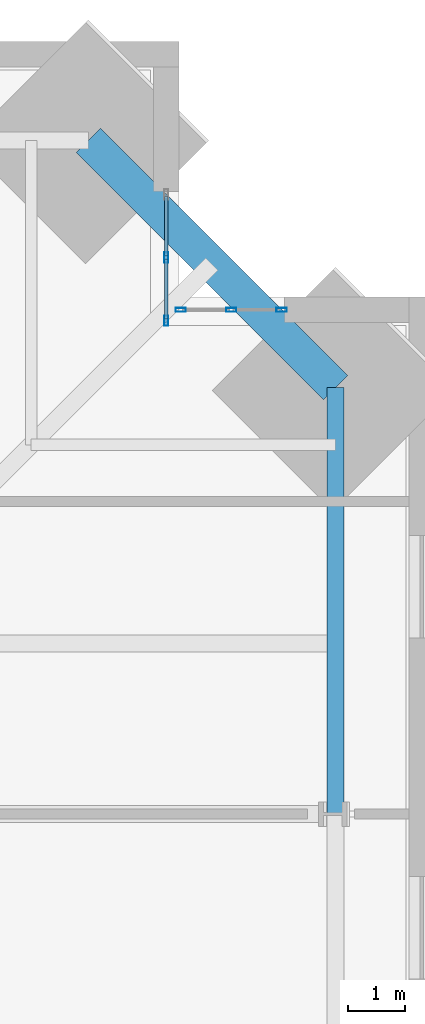
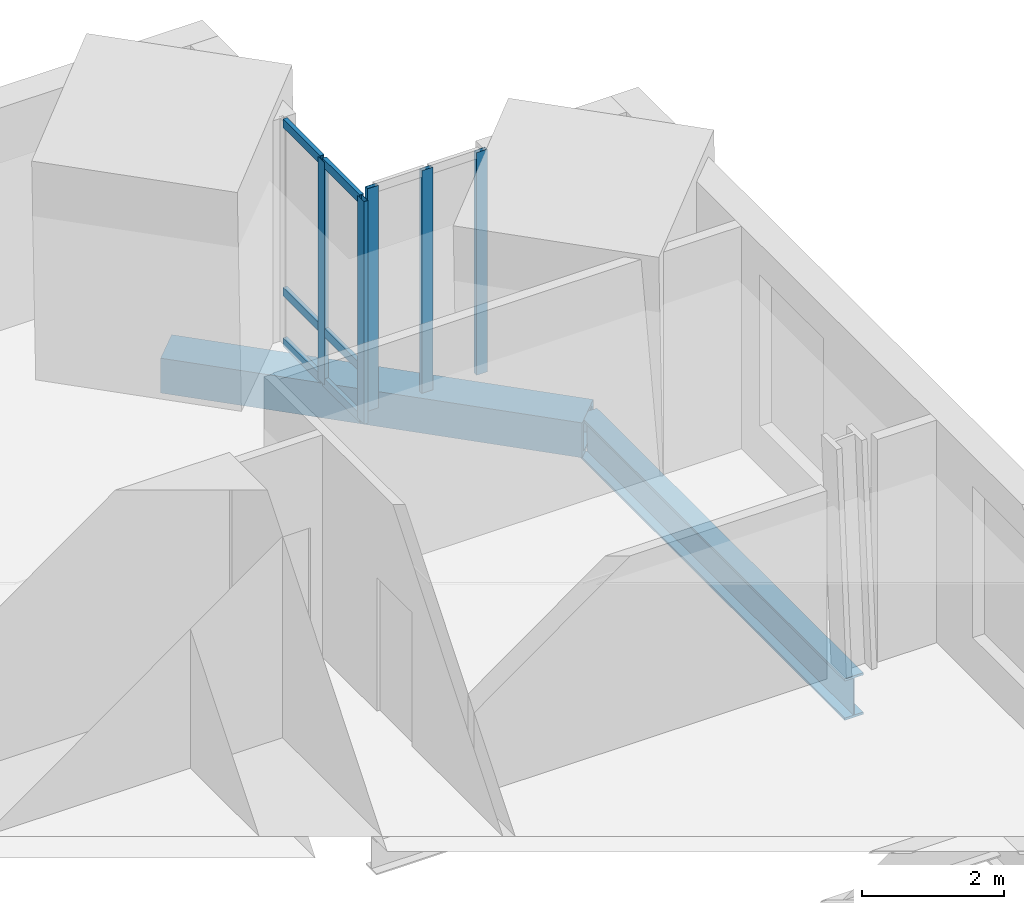
# One storey, part 8 of 16: 11 members, 2 beams, 2 elements without a shape of their own.
"""IFC4 building model written with IfcOpenShell, lengths in metres."""

import ifcopenshell
import ifcopenshell.guid

model = None  # the IFC model being written
_history = None  # IfcOwnerHistory: only IFC2X3 demands one
_inside = {}  # id of a spatial element -> (the spatial element, [elements in it])
_under = {}  # id of a project, library or spatial element -> (it, [spatial elements below it])
_declared = {}  # id of a project -> (the project, [libraries it declares])
_typed = {}  # id of a type object -> (the type object, [elements of that type])
_made_of = {}  # id of a material, layer set ... -> (it, [elements and type objects made of it])


def new_model(schema):
    """Start an empty IFC model of exactly this schema.

    Asked for "IFC4X3", IfcOpenShell would pick the latest addendum, in which some entities
    have other attributes; the version numbers below select the first issue.
    IFC2X3 requires an IfcOwnerHistory on every rooted entity: one is made here for all.
    """
    global model, _history
    if schema == "IFC4X3":
        model = ifcopenshell.file(schema_version=(4, 3, 0, 0))
    else:
        model = ifcopenshell.file(schema=schema)
    _inside.clear()
    _under.clear()
    _declared.clear()
    _typed.clear()
    _made_of.clear()
    _history = None
    if model.schema == "IFC2X3":
        org = make("IfcOrganization", Name="unknown")
        user = make(
            "IfcPersonAndOrganization",
            ThePerson=make("IfcPerson", FamilyName="unknown"),
            TheOrganization=org,
        )
        app = make(
            "IfcApplication",
            ApplicationDeveloper=org,
            Version="unknown",
            ApplicationFullName="unknown",
            ApplicationIdentifier="unknown",
        )
        _history = make(
            "IfcOwnerHistory",
            OwningUser=user,
            OwningApplication=app,
            ChangeAction="ADDED",
            CreationDate=0,
        )
    return model


def make(cls, **values):
    """One entity of the class cls with the attributes given. An attribute that is None is left unset."""
    return model.create_entity(
        cls, **{name: value for name, value in values.items() if value is not None}
    )


def rooted(cls, **values):
    """An entity with a GlobalId (a new one), such as an element, a storey or a relation."""
    return make(cls, GlobalId=ifcopenshell.guid.new(), OwnerHistory=_history, **values)


def si_unit(unit_type, name, prefix=None):
    """IfcSIUnit, for example si_unit("LENGTHUNIT", "METRE", prefix="MILLI")."""
    return make("IfcSIUnit", UnitType=unit_type, Prefix=prefix, Name=name)


def assignment(units):
    """IfcUnitAssignment: the units of a project."""
    return None if units is None else make("IfcUnitAssignment", Units=units)


def point(xyz):
    """IfcCartesianPoint."""
    return None if xyz is None else make("IfcCartesianPoint", Coordinates=xyz)


def direction(xyz):
    """IfcDirection."""
    return None if xyz is None else make("IfcDirection", DirectionRatios=xyz)


def frame(location, z_axis=None, x_axis=None):
    """IfcAxis2Placement3D, a coordinate frame: its origin and axes. An axis left out is left unset."""
    return make(
        "IfcAxis2Placement3D",
        Location=point(location),
        Axis=direction(z_axis),
        RefDirection=direction(x_axis),
    )


def frame_2d(location, x_axis=None):
    """IfcAxis2Placement2D, a coordinate frame in the plane: its origin and x axis."""
    return make(
        "IfcAxis2Placement2D", Location=point(location), RefDirection=direction(x_axis)
    )


def origin():
    """The frame at (0, 0, 0) with its axes left unset."""
    return frame((0.0, 0.0, 0.0))


def origin_2d():
    """The frame at (0, 0) in the plane with its x axis left unset."""
    return frame_2d((0.0, 0.0))


def place(relative_to, where):
    """IfcLocalPlacement: puts the frame where relative to a parent placement (None: the world)."""
    return make(
        "IfcLocalPlacement", PlacementRelTo=relative_to, RelativePlacement=where
    )


def context(
    kind, dimensions, precision=None, world=None, true_north=None, identifier=None
):
    """IfcGeometricRepresentationContext, for example the 3D "Model" context."""
    return make(
        "IfcGeometricRepresentationContext",
        ContextIdentifier=identifier,
        ContextType=kind,
        CoordinateSpaceDimension=dimensions,
        Precision=precision,
        WorldCoordinateSystem=world,
        TrueNorth=true_north,
    )


def subcontext(parent, identifier, kind, view, scale=None):
    """IfcGeometricRepresentationSubContext, for example "Body" below "Model"."""
    return make(
        "IfcGeometricRepresentationSubContext",
        ContextIdentifier=identifier,
        ContextType=kind,
        ParentContext=parent,
        TargetScale=scale,
        TargetView=view,
    )


def project(units=None, contexts=None):
    """IfcProject with its units and contexts."""
    return rooted(
        "IfcProject",
        Name="project",
        RepresentationContexts=contexts,
        UnitsInContext=assignment(units),
    )


def spatial(cls, under=None, at=None, **own):
    """A site, building, storey or space (cls), placed at a placement, below another one or the project."""
    s = rooted(cls, ObjectPlacement=at, **own)
    if under is not None:
        _under.setdefault(under.id(), (under, []))[1].append(s)
    return s


def profile(cls, at=None, kind="AREA", **sizes):
    """A parametric profile (cls). Its sizes go by their IFC names, for example OverallWidth=200.0."""
    return make(cls, ProfileType=kind, Position=at, **sizes)


def hollow_rectangle(**sizes):
    """IfcRectangleHollowProfileDef."""
    return profile("IfcRectangleHollowProfileDef", **sizes)


def i_section(**sizes):
    """IfcIShapeProfileDef."""
    return profile("IfcIShapeProfileDef", **sizes)


def extrude(swept, where, along, depth):
    """IfcExtrudedAreaSolid: the profile swept, set in the frame where, extruded along a direction by depth."""
    return make(
        "IfcExtrudedAreaSolid",
        SweptArea=swept,
        Position=where,
        ExtrudedDirection=direction(along),
        Depth=depth,
    )


def shape(context_of_items, identifier, shape_type, items):
    """IfcShapeRepresentation: the items that make up one representation, for example the "Body"."""
    return make(
        "IfcShapeRepresentation",
        ContextOfItems=context_of_items,
        RepresentationIdentifier=identifier,
        RepresentationType=shape_type,
        Items=items,
    )


def material(Name=None, Category=None):
    """IfcMaterial."""
    return make("IfcMaterial", Name=Name, Category=Category)


def material_profile(
    of_material, cross_section, Name=None, Category=None, Priority=None
):
    """IfcMaterialProfile: a cross section and its material."""
    return make(
        "IfcMaterialProfile",
        Name=Name,
        Material=of_material,
        Profile=cross_section,
        Priority=Priority,
        Category=Category,
    )


def profile_set(profiles, Name=None, composite=None):
    """IfcMaterialProfileSet."""
    return make(
        "IfcMaterialProfileSet",
        Name=Name,
        MaterialProfiles=profiles,
        CompositeProfile=composite,
    )


def made_of(thing, what):
    """Note that an element or type object is made of a material, layer set ...; save() writes the relation."""
    if what is not None:
        _made_of.setdefault(what.id(), (what, []))[1].append(thing)
    return thing


def type_object(cls, material=None, **own):
    """A type object (cls), such as IfcWallType, which elements share."""
    return made_of(rooted(cls, **own), material)


def element(
    cls,
    number,
    at=None,
    inside=None,
    cuts=None,
    type_object=None,
    material=None,
    context=None,
    identifier="Body",
    shape_type=None,
    held_by="IfcProductDefinitionShape",
    body=None,
    shapes=None,
    **own,
):
    """One element of the class cls, such as IfcWall. Its Tag is "e" and its number.

    at: its placement. inside: the storey or other place that contains it. cuts: it is an
    opening in that element (IfcRelVoidsElement). A single representation is given by context,
    identifier, shape_type and body (its items); several are given by shapes. held_by: the class
    of the entity that holds the representations. save() writes the other relations.
    """
    e = rooted(cls, Tag="e%d" % number, ObjectPlacement=at, **own)
    if body is not None:
        shapes = [shape(context, identifier, shape_type, body)]
    if shapes is not None:
        e.Representation = make(held_by, Representations=shapes)
    if inside is not None:
        _inside.setdefault(inside.id(), (inside, []))[1].append(e)
    if cuts is not None:
        rooted(
            "IfcRelVoidsElement", RelatingBuildingElement=cuts, RelatedOpeningElement=e
        )
    if type_object is not None:
        _typed.setdefault(type_object.id(), (type_object, []))[1].append(e)
    return made_of(e, material)


def aggregate(whole, parts):
    """IfcRelAggregates: a whole, such as a stair, and the parts it consists of."""
    return rooted("IfcRelAggregates", RelatingObject=whole, RelatedObjects=parts)


def save(model, path):
    """Write the relations noted so far, then the file.

    IfcRelAggregates (storeys below a building ...), IfcRelContainedInSpatialStructure (elements
    in a storey), IfcRelDefinesByType, IfcRelAssociatesMaterial and IfcRelDeclares: one each for
    every whole, place, type object, material and project.
    """
    for whole, parts in _under.values():
        aggregate(whole, parts)
    for where, things in _inside.values():
        rooted(
            "IfcRelContainedInSpatialStructure",
            RelatedElements=things,
            RelatingStructure=where,
        )
    for kind, things in _typed.values():
        rooted("IfcRelDefinesByType", RelatedObjects=things, RelatingType=kind)
    for what, things in _made_of.values():
        rooted("IfcRelAssociatesMaterial", RelatedObjects=things, RelatingMaterial=what)
    for by, libraries in _declared.values():
        rooted("IfcRelDeclares", RelatingContext=by, RelatedDefinitions=libraries)
    model.write(path)


model = new_model("IFC4")

# Units and contexts
model_context = context("Model", 3, precision=1e-05, world=origin(), true_north=direction((0.0, 1.0)))
body_context = subcontext(model_context, "Body", "Model", "MODEL_VIEW")
ifc_project = project(units=[si_unit("LENGTHUNIT", "METRE"), si_unit("AREAUNIT", "SQUARE_METRE"), si_unit("VOLUMEUNIT", "CUBIC_METRE"), si_unit("PLANEANGLEUNIT", "RADIAN"), si_unit("MASSUNIT", "GRAM", prefix="KILO")], contexts=[model_context])

# Site, building, storey
site_placement = place(None, origin())
site = spatial("IfcSite", under=ifc_project, at=site_placement, CompositionType="ELEMENT")
building_placement = place(site_placement, origin())
building = spatial("IfcBuilding", under=site, at=building_placement, Name="Peilmerk Tower", CompositionType="ELEMENT")
storey_placement = place(building_placement, frame((0.0, 0.0, 273.800048828125)))
storey = spatial("IfcBuildingStorey", under=building, at=storey_placement, Name="L61", CompositionType="ELEMENT", Elevation=273.800048828125)

# Beams
ifc_material_1 = material(Name="Steel S460", Category="steel")
ifc_material_profile_1 = material_profile(ifc_material_1, hollow_rectangle(XDim=0.60009765625, YDim=0.60009765625, WallThickness=0.06005859375, at=origin_2d()), Name="BOX 600x600x60")
ifc_profile_set_1 = profile_set([ifc_material_profile_1], Name="Steel S460")
beam_type_1 = type_object("IfcBeamType", Name="B20 BOX 600x600x60 notch beam", PredefinedType="SPANDREL", material=ifc_profile_set_1)
beam_1_placement = place(storey_placement, frame((15.50634765625, 19.8564453125, -0.469970703125), z_axis=(0.707106781187, -0.707106781187, 0.0), x_axis=(0.707106781187, 0.707106781187, 0.0)))
element("IfcBeam", 1, at=beam_1_placement, inside=storey, type_object=beam_type_1, Name="Notch beam L61", PredefinedType="SPANDREL", context=body_context, shape_type="SweptSolid", body=[
    extrude(hollow_rectangle(XDim=0.60009765625, YDim=0.60009765625, WallThickness=0.06005859375, at=origin_2d()), origin(), (0.0, 0.0, 1.0), 6.15185546875),
])
ifc_material_2 = material(Name="Steel S355", Category="steel")
ifc_material_profile_2 = material_profile(ifc_material_2, i_section(OverallWidth=0.303955078125, OverallDepth=0.716064453125, WebThickness=0.02099609375, FlangeThickness=0.0400390625, at=origin_2d()), Name="HEM 700")
ifc_profile_set_2 = profile_set([ifc_material_profile_2], Name="Steel S355")
beam_type_2 = type_object("IfcBeamType", Name="B30 HEM 700 edge beam", PredefinedType="SPANDREL", material=ifc_profile_set_2)
beam_2_placement = place(storey_placement, frame((19.8564453125, 8.0, -0.528076171875), z_axis=(0.0, 1.0, 0.0), x_axis=(-1.0, 0.0, 0.0)))
element("IfcBeam", 2, at=beam_2_placement, inside=storey, type_object=beam_type_2, Name="Edge beam L61", PredefinedType="SPANDREL", context=body_context, shape_type="SweptSolid", body=[
    extrude(i_section(OverallWidth=0.303955078125, OverallDepth=0.716064453125, WebThickness=0.02099609375, FlangeThickness=0.0400390625, at=origin_2d()), origin(), (0.0, 0.0, 1.0), 7.50634765625),
])

# Curtain wall, members
ifc_material_3 = material(Name="Aluminium stick curtain wall", Category="aluminium")
curtain_wall_type = type_object("IfcCurtainWallType", Name="CW4 stick curtain wall, 2250 module", PredefinedType="NOTDEFINED", material=ifc_material_3)
curtain_wall_1_placement = place(storey_placement, origin())
curtain_wall_1 = element("IfcCurtainWall", 3, at=curtain_wall_1_placement, inside=storey, type_object=curtain_wall_type, Name="Curtain wall CW4 NEA L61", PredefinedType="NOTDEFINED")
ifc_material_4 = material(Name="Aluminium EN AW-6063 T6", Category="aluminium")
ifc_material_profile_3 = material_profile(ifc_material_4, hollow_rectangle(XDim=0.06494140625, YDim=0.179931640625, WallThickness=0.0029296875, at=origin_2d()), Name="AL 180x65x3")
ifc_profile_set_3 = profile_set([ifc_material_profile_3], Name="Aluminium EN AW-6063 T6")
member_type_1 = type_object("IfcMemberType", Name="CW4-M AL 180x65x3 mullion", PredefinedType="MULLION", material=ifc_profile_set_3)
member_1_placement = place(storey_placement, frame((16.875, 16.6826171875, 0.0), z_axis=(0.0, 0.0, 1.0), x_axis=(-1.0, 0.0, 0.0)))
member_1 = element("IfcMember", 4, at=member_1_placement, type_object=member_type_1, Name="CW4 mullion 1", PredefinedType="MULLION", context=body_context, shape_type="SweptSolid", body=[
    extrude(hollow_rectangle(XDim=0.06494140625, YDim=0.179931640625, WallThickness=0.0029296875, at=origin_2d()), origin(), (0.0, 0.0, 1.0), 3.829833984375),
])
member_2_placement = place(storey_placement, frame((16.875, 17.79443359375, 0.0), z_axis=(0.0, 0.0, 1.0), x_axis=(-1.0, 0.0, 0.0)))
member_2 = element("IfcMember", 5, at=member_2_placement, type_object=member_type_1, Name="CW4 mullion 2", PredefinedType="MULLION", context=body_context, shape_type="SweptSolid", body=[
    extrude(hollow_rectangle(XDim=0.06494140625, YDim=0.179931640625, WallThickness=0.0029296875, at=origin_2d()), origin(), (0.0, 0.0, 1.0), 3.829833984375),
])

curtain_wall_2_placement = place(storey_placement, origin())
curtain_wall_2 = element("IfcCurtainWall", 6, at=curtain_wall_2_placement, inside=storey, type_object=curtain_wall_type, Name="Curtain wall CW4 NEB L61", PredefinedType="NOTDEFINED")
member_3_placement = place(storey_placement, frame((17.132568359375, 16.875, 0.0), z_axis=(0.0, 0.0, 1.0), x_axis=(0.0, 1.0, 0.0)))
member_3 = element("IfcMember", 7, at=member_3_placement, type_object=member_type_1, Name="CW4 mullion 1", PredefinedType="MULLION", context=body_context, shape_type="SweptSolid", body=[
    extrude(hollow_rectangle(XDim=0.06494140625, YDim=0.179931640625, WallThickness=0.0029296875, at=origin_2d()), origin(), (0.0, 0.0, 1.0), 3.829833984375),
])
member_4_placement = place(storey_placement, frame((18.019287109375, 16.875, 0.0), z_axis=(0.0, 0.0, 1.0), x_axis=(0.0, 1.0, 0.0)))
member_4 = element("IfcMember", 8, at=member_4_placement, type_object=member_type_1, Name="CW4 mullion 2", PredefinedType="MULLION", context=body_context, shape_type="SweptSolid", body=[
    extrude(hollow_rectangle(XDim=0.06494140625, YDim=0.179931640625, WallThickness=0.0029296875, at=origin_2d()), origin(), (0.0, 0.0, 1.0), 3.829833984375),
])
member_5_placement = place(storey_placement, frame((18.90625, 16.875, 0.0), z_axis=(0.0, 0.0, 1.0), x_axis=(0.0, 1.0, 0.0)))
member_5 = element("IfcMember", 9, at=member_5_placement, type_object=member_type_1, Name="CW4 mullion 3", PredefinedType="MULLION", context=body_context, shape_type="SweptSolid", body=[
    extrude(hollow_rectangle(XDim=0.06494140625, YDim=0.179931640625, WallThickness=0.0029296875, at=origin_2d()), origin(), (0.0, 0.0, 1.0), 3.829833984375),
])
aggregate(curtain_wall_2, [member_3, member_4, member_5])

# Member
ifc_material_profile_4 = material_profile(ifc_material_4, hollow_rectangle(XDim=0.06494140625, YDim=0.14990234375, WallThickness=0.0029296875, at=origin_2d()), Name="AL 150x65x3")
ifc_profile_set_4 = profile_set([ifc_material_profile_4], Name="Aluminium EN AW-6063 T6")
member_type_2 = type_object("IfcMemberType", Name="CW4-T AL 150x65x3 transom", PredefinedType="USERDEFINED", material=ifc_profile_set_4)
member_6_placement = place(storey_placement, frame((16.875, 16.715087890625, 0.032470703125), z_axis=(0.0, 1.0, 0.0), x_axis=(-1.0, 0.0, 0.0)))
member_6 = element("IfcMember", 10, at=member_6_placement, type_object=member_type_2, Name="CW4 transom 1.1", ObjectType="TRANSOM", PredefinedType="USERDEFINED", context=body_context, shape_type="SweptSolid", body=[
    extrude(hollow_rectangle(XDim=0.06494140625, YDim=0.14990234375, WallThickness=0.0029296875, at=origin_2d()), origin(), (0.0, 0.0, 1.0), 1.046630859375),
])

member_7_placement = place(storey_placement, frame((16.875, 16.715087890625, 0.89990234375), z_axis=(0.0, 1.0, 0.0), x_axis=(-1.0, 0.0, 0.0)))
member_7 = element("IfcMember", 11, at=member_7_placement, type_object=member_type_2, Name="CW4 transom 1.2", ObjectType="TRANSOM", PredefinedType="USERDEFINED", context=body_context, shape_type="SweptSolid", body=[
    extrude(hollow_rectangle(XDim=0.06494140625, YDim=0.14990234375, WallThickness=0.0029296875, at=origin_2d()), origin(), (0.0, 0.0, 1.0), 1.046630859375),
])

member_8_placement = place(storey_placement, frame((16.875, 16.715087890625, 3.79736328125), z_axis=(0.0, 1.0, 0.0), x_axis=(-1.0, 0.0, 0.0)))
member_8 = element("IfcMember", 12, at=member_8_placement, type_object=member_type_2, Name="CW4 transom 1.3", ObjectType="TRANSOM", PredefinedType="USERDEFINED", context=body_context, shape_type="SweptSolid", body=[
    extrude(hollow_rectangle(XDim=0.06494140625, YDim=0.14990234375, WallThickness=0.0029296875, at=origin_2d()), origin(), (0.0, 0.0, 1.0), 1.046630859375),
])

member_9_placement = place(storey_placement, frame((16.875, 17.826904296875, 0.032470703125), z_axis=(0.0, 1.0, 0.0), x_axis=(-1.0, 0.0, 0.0)))
member_9 = element("IfcMember", 13, at=member_9_placement, type_object=member_type_2, Name="CW4 transom 2.1", ObjectType="TRANSOM", PredefinedType="USERDEFINED", context=body_context, shape_type="SweptSolid", body=[
    extrude(hollow_rectangle(XDim=0.06494140625, YDim=0.14990234375, WallThickness=0.0029296875, at=origin_2d()), origin(), (0.0, 0.0, 1.0), 1.046875),
])

member_10_placement = place(storey_placement, frame((16.875, 17.826904296875, 0.89990234375), z_axis=(0.0, 1.0, 0.0), x_axis=(-1.0, 0.0, 0.0)))
member_10 = element("IfcMember", 14, at=member_10_placement, type_object=member_type_2, Name="CW4 transom 2.2", ObjectType="TRANSOM", PredefinedType="USERDEFINED", context=body_context, shape_type="SweptSolid", body=[
    extrude(hollow_rectangle(XDim=0.06494140625, YDim=0.14990234375, WallThickness=0.0029296875, at=origin_2d()), origin(), (0.0, 0.0, 1.0), 1.046875),
])

member_11_placement = place(storey_placement, frame((16.875, 17.826904296875, 3.79736328125), z_axis=(0.0, 1.0, 0.0), x_axis=(-1.0, 0.0, 0.0)))
member_11 = element("IfcMember", 15, at=member_11_placement, type_object=member_type_2, Name="CW4 transom 2.3", ObjectType="TRANSOM", PredefinedType="USERDEFINED", context=body_context, shape_type="SweptSolid", body=[
    extrude(hollow_rectangle(XDim=0.06494140625, YDim=0.14990234375, WallThickness=0.0029296875, at=origin_2d()), origin(), (0.0, 0.0, 1.0), 1.046875),
])

aggregate(curtain_wall_1, [member_1, member_2, member_6, member_7, member_8, member_9, member_10, member_11])

save(model, "model.ifc")
